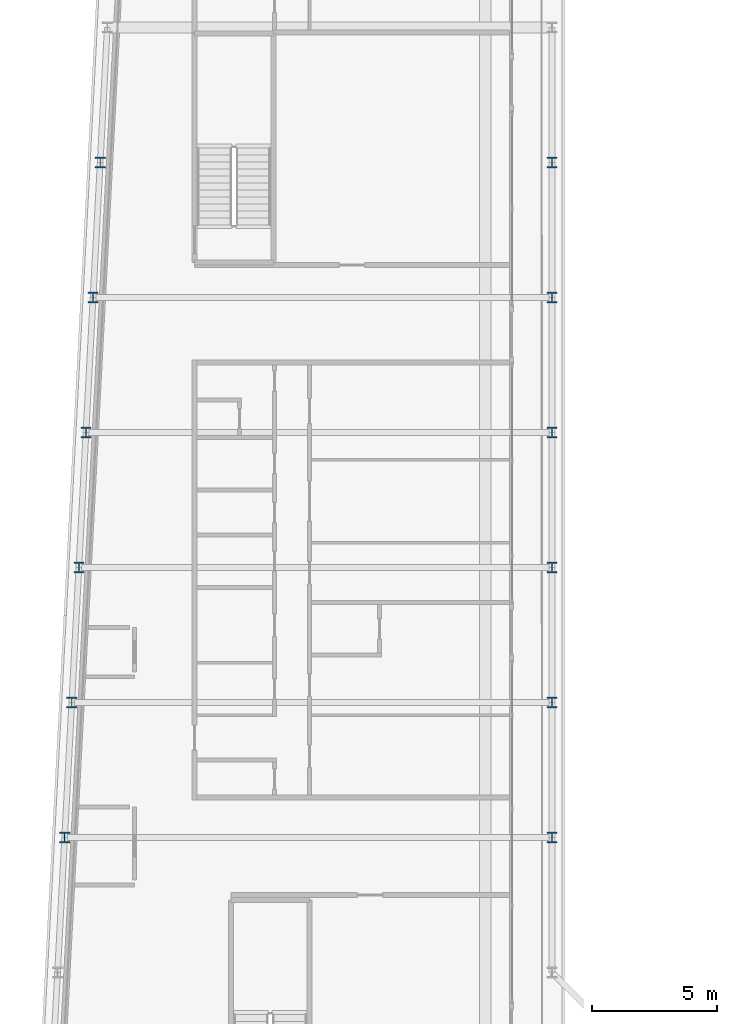
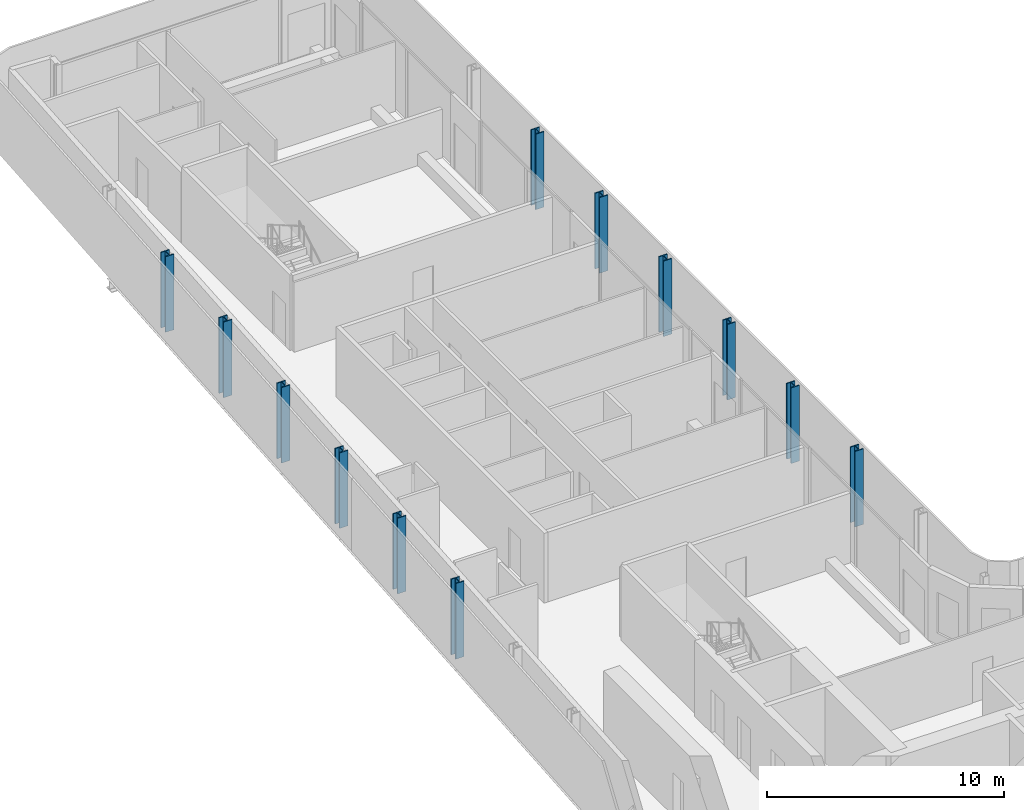
# One storey, part 3 of 30: 12 columns.
"""IFC4 building model written with IfcOpenShell, lengths in metres."""

from ifc_helpers import new_model, si_unit, direction, frame, origin, origin_2d, place, context, subcontext, project, spatial, i_section, extrude, material, material_profile, profile_set, type_object, element, save


model = new_model("IFC4")

# Units and contexts
model_context = context("Model", 3, precision=1e-05, world=origin(), true_north=direction((0.0, 1.0)))
body_context = subcontext(model_context, "Body", "Model", "MODEL_VIEW")
ifc_project = project(units=[si_unit("LENGTHUNIT", "METRE"), si_unit("AREAUNIT", "SQUARE_METRE"), si_unit("VOLUMEUNIT", "CUBIC_METRE"), si_unit("PLANEANGLEUNIT", "RADIAN"), si_unit("MASSUNIT", "GRAM", prefix="KILO")], contexts=[model_context])

# Site, building, storey
site_placement = place(None, origin())
site = spatial("IfcSite", under=ifc_project, at=site_placement, CompositionType="ELEMENT")
building_placement = place(site_placement, origin())
building = spatial("IfcBuilding", under=site, at=building_placement, Name="Kheshtan School and Residences Tower", CompositionType="ELEMENT")
storey_placement = place(building_placement, frame((0.0, 0.0, 164.300048828125)))
storey = spatial("IfcBuildingStorey", under=building, at=storey_placement, Name="L38", CompositionType="ELEMENT", Elevation=164.300048828125)

# Columns
ifc_material = material(Name="Steel ASTM A992 Grade 50", Category="steel")
ifc_material_profile = material_profile(ifc_material, i_section(OverallWidth=0.408935546875, OverallDepth=0.425048828125, WebThickness=0.03271484375, FlangeThickness=0.052490234375, FilletRadius=0.0126953125, at=origin_2d()), Name="W360x421")
ifc_profile_set = profile_set([ifc_material_profile], Name="Steel ASTM A992 Grade 50")
column_type = type_object("IfcColumnType", Name="Column C3 W360x421 ASTM A992 Grade 50", PredefinedType="COLUMN", material=ifc_profile_set)
for number, where, z_axis, x_axis, name in (
    (1, (28.10595703125, 56.39990234375, 0.0), (0.0, 0.0, 1.0), (1.0, 0.0, 0.0), "Column C080"),
    (2, (47.60009765625, 56.39990234375, 0.0), (0.0, 0.0, 1.0), (1.0, 0.0, 0.0), "Column C081"),
    (3, (28.389892578125, 61.800048828125, 0.0), (0.0, 0.0, 1.0), (1.0, 0.0, 0.0), "Column C082"),
    (4, (47.60009765625, 61.800048828125, 0.0), (0.0, 0.0, 1.0), (1.0, 0.0, 0.0), "Column C083"),
    (5, (28.674072265625, 67.199951171875, 0.0), (0.0, 0.0, 1.0), (1.0, 0.0, 0.0), "Column C084"),
    (6, (47.60009765625, 67.199951171875, 0.0), (0.0, 0.0, 1.0), (1.0, 0.0, 0.0), "Column C085"),
    (7, (28.9580078125, 72.60009765625, 0.0), (0.0, 0.0, 1.0), (1.0, 0.0, 0.0), "Column C086"),
    (8, (47.60009765625, 72.60009765625, 0.0), (0.0, 0.0, 1.0), (1.0, 0.0, 0.0), "Column C087"),
    (9, (29.242919921875, 78.0, 0.0), (0.0, 0.0, 1.0), (1.0, 0.0, 0.0), "Column C088"),
    (10, (47.60009765625, 78.0, 0.0), (0.0, 0.0, 1.0), (1.0, 0.0, 0.0), "Column C089"),
    (11, (29.527099609375, 83.39990234375, 0.0), (0.0, 0.0, 1.0), (1.0, 0.0, 0.0), "Column C090"),
    (12, (47.60009765625, 83.39990234375, 0.0), (0.0, 0.0, 1.0), (1.0, 0.0, 0.0), "Column C091"),
):
    element("IfcColumn", number, at=place(storey_placement, frame(where, z_axis=z_axis, x_axis=x_axis)), inside=storey, type_object=column_type, Name=name, PredefinedType="COLUMN", context=body_context, shape_type="SweptSolid", body=[
        extrude(i_section(OverallWidth=0.408935546875, OverallDepth=0.425048828125, WebThickness=0.03271484375, FlangeThickness=0.052490234375, FilletRadius=0.0126953125, at=origin_2d()), origin(), (0.0, 0.0, 1.0), 3.89990234375),
    ])

save(model, "model.ifc")
